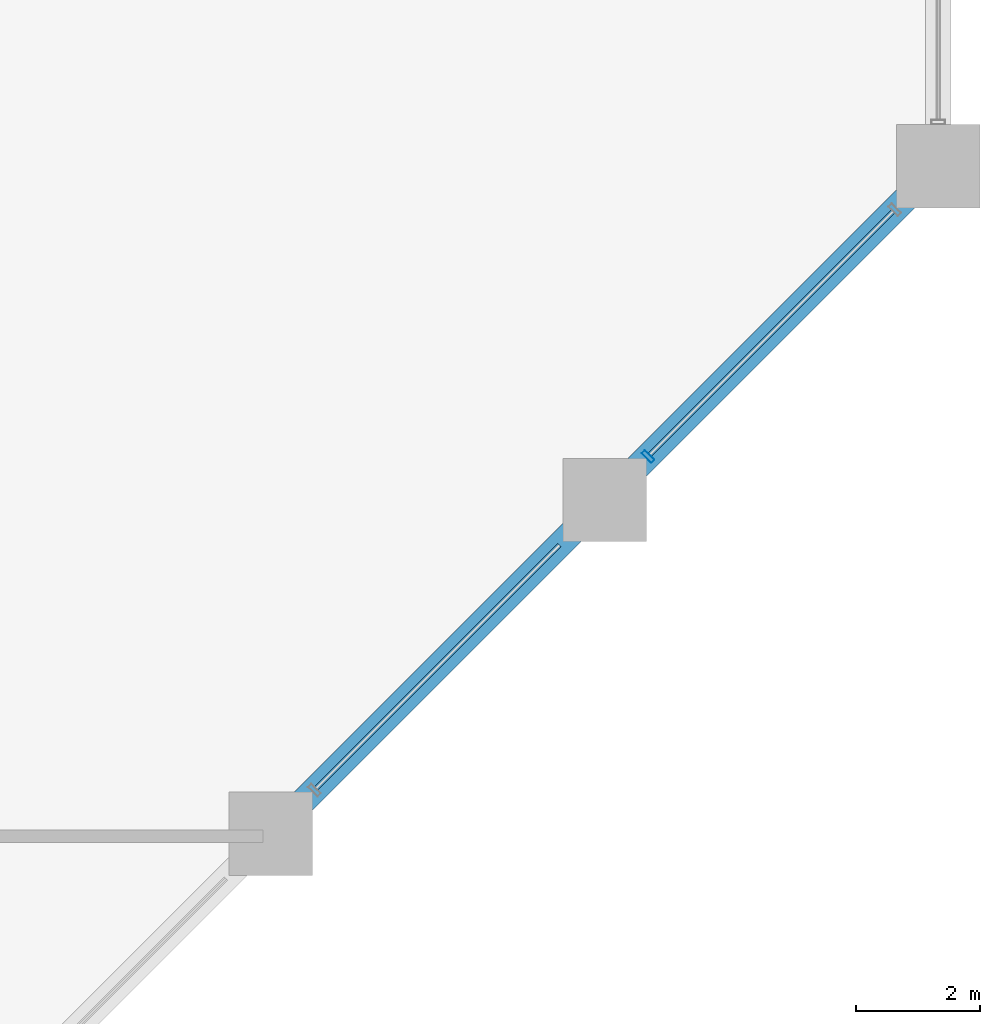
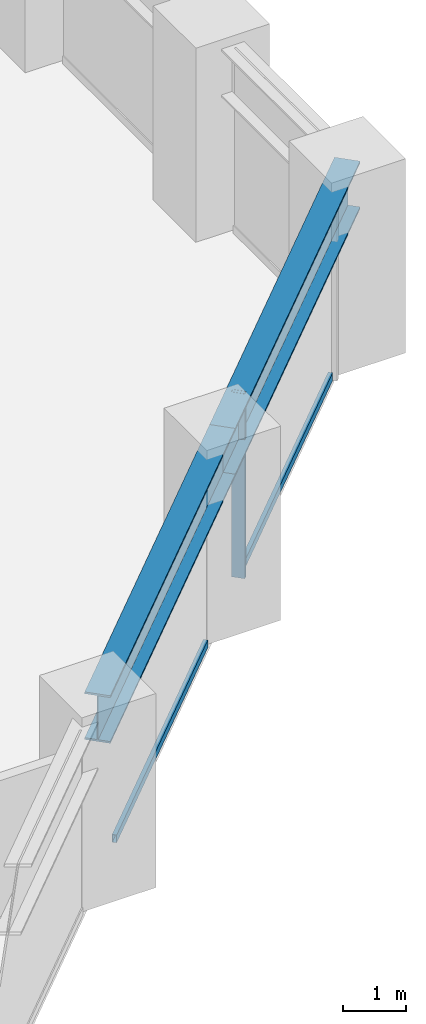
# One storey, part 9 of 24: 3 members, 2 beams, 1 element without a shape of its own.
"""IFC4 building model written with IfcOpenShell, lengths in metres."""

from ifc_helpers import new_model, si_unit, direction, frame, origin, origin_2d, place, context, subcontext, project, spatial, hollow_rectangle, i_section, extrude, material, layer, layer_set, material_profile, profile_set, type_object, element, aggregate, save


model = new_model("IFC4")

# Units and contexts
model_context = context("Model", 3, precision=1e-05, world=origin(), true_north=direction((0.0, 1.0)))
body_context = subcontext(model_context, "Body", "Model", "MODEL_VIEW")
ifc_project = project(units=[si_unit("LENGTHUNIT", "METRE"), si_unit("AREAUNIT", "SQUARE_METRE"), si_unit("VOLUMEUNIT", "CUBIC_METRE"), si_unit("PLANEANGLEUNIT", "RADIAN"), si_unit("MASSUNIT", "GRAM", prefix="KILO")], contexts=[model_context])

# Site, building, storey
site_placement = place(None, origin())
site = spatial("IfcSite", under=ifc_project, at=site_placement, CompositionType="ELEMENT")
building_placement = place(site_placement, origin())
building = spatial("IfcBuilding", under=site, at=building_placement, Name="Surkhivell Harbour Commons", CompositionType="ELEMENT")
storey_placement = place(building_placement, frame((0.0, 0.0, 30.0)))
storey = spatial("IfcBuildingStorey", under=building, at=storey_placement, Name="L07", CompositionType="ELEMENT", Elevation=30.0)

# Beams
ifc_material_1 = material(Name="Steel S460", Category="steel")
ifc_material_profile_1 = material_profile(ifc_material_1, i_section(OverallWidth=0.419921875, OverallDepth=0.9208984375, WebThickness=0.021484375, FlangeThickness=0.03662109375, at=origin_2d()), Name="UB914x419x388")
ifc_profile_set_1 = profile_set([ifc_material_profile_1], Name="Steel S460")
beam_type = type_object("IfcBeamType", Name="BM-SPN-914A", PredefinedType="SPANDREL", material=ifc_profile_set_1)
for number, where, z_axis, x_axis, name in (
    (1, (21.60009765625, -4.300048828125, 3.109619140625), (0.707090796496, 0.707122765516, 0.0), (-0.707122765516, 0.707090796496, 0.0), "L07 Tube Spandrel (21.6,-4.3)"),
    (2, (27.0, 1.10009765625, 3.109619140625), (0.707106781187, 0.707106781187, 0.0), (-0.707106781187, 0.707106781187, 0.0), "L07 Tube Spandrel (27.0,1.1)"),
):
    element("IfcBeam", number, at=place(storey_placement, frame(where, z_axis=z_axis, x_axis=x_axis)), inside=storey, type_object=beam_type, Name=name, PredefinedType="SPANDREL", context=body_context, shape_type="SweptSolid", body=[
        extrude(i_section(OverallWidth=0.419921875, OverallDepth=0.9208984375, WebThickness=0.021484375, FlangeThickness=0.03662109375, at=origin_2d()), origin(), (0.0, 0.0, 1.0), 7.63671875),
    ])

# Curtain wall, members
ifc_material_2 = material(Name="Anodised pale-metal aluminium and insulated glazing", Category="aluminium")
ifc_layer = layer(ifc_material_2, 0.219970703125)
ifc_layer_set = layer_set([ifc_layer], Name="Anodised pale-metal aluminium and insulated glazing")
curtain_wall_type = type_object("IfcCurtainWallType", Name="CW-SYS-Z1", PredefinedType="NOTDEFINED", material=ifc_layer_set)
curtain_wall_placement = place(storey_placement, origin())
curtain_wall = element("IfcCurtainWall", 3, at=curtain_wall_placement, inside=storey, type_object=curtain_wall_type, Name="L07 Curtain Wall CW-L07-E01", PredefinedType="NOTDEFINED")
ifc_material_3 = material(Name="Anodised pale-metal aluminium alloy 6063-T6", Category="aluminium")
ifc_material_profile_2 = material_profile(ifc_material_3, hollow_rectangle(XDim=0.074951171875, YDim=0.219970703125, WallThickness=0.00390625, at=origin_2d()), Name="ALU-MULL-75x220")
ifc_profile_set_2 = profile_set([ifc_material_profile_2], Name="Anodised pale-metal aluminium alloy 6063-T6")
member_type_1 = type_object("IfcMemberType", Name="CWM-220", PredefinedType="MULLION", material=ifc_profile_set_2)
member_1_placement = place(storey_placement, frame((27.703369140625, 1.80322265625, 0.0), z_axis=(0.0, 0.0, 1.0), x_axis=(0.707106781187, 0.707106781187, 0.0)))
member_1 = element("IfcMember", 4, at=member_1_placement, type_object=member_type_1, Name="CW-Z1 mullion 6", PredefinedType="MULLION", context=body_context, shape_type="SweptSolid", body=[
    extrude(hollow_rectangle(XDim=0.074951171875, YDim=0.219970703125, WallThickness=0.00390625, at=origin_2d()), origin(), (0.0, 0.0, 1.0), 3.570068359375),
])
ifc_material_profile_3 = material_profile(ifc_material_3, hollow_rectangle(XDim=0.074951171875, YDim=0.14990234375, WallThickness=0.00341796875, at=origin_2d()), Name="ALU-TRAN-75x150")
ifc_profile_set_3 = profile_set([ifc_material_profile_3], Name="Anodised pale-metal aluminium alloy 6063-T6")
member_type_2 = type_object("IfcMemberType", Name="CWT-150", PredefinedType="USERDEFINED", material=ifc_profile_set_3)
member_2_placement = place(storey_placement, frame((22.329833984375, -3.570068359375, 0.074951171875), z_axis=(0.70712868694, 0.707084874754, 0.0), x_axis=(-0.707084874754, 0.70712868694, 0.0)))
member_2 = element("IfcMember", 5, at=member_2_placement, type_object=member_type_2, Name="CW-Z1 transom 5.1", ObjectType="TRANSOM", PredefinedType="USERDEFINED", context=body_context, shape_type="SweptSolid", body=[
    extrude(hollow_rectangle(XDim=0.074951171875, YDim=0.14990234375, WallThickness=0.00341796875, at=origin_2d()), origin(), (0.0, 0.0, 1.0), 5.572509765625),
])
member_3_placement = place(storey_placement, frame((27.729736328125, 1.829833984375, 0.074951171875), z_axis=(0.707106781187, 0.707106781187, 0.0), x_axis=(-0.707106781187, 0.707106781187, 0.0)))
member_3 = element("IfcMember", 6, at=member_3_placement, type_object=member_type_2, Name="CW-Z1 transom 6.1", ObjectType="TRANSOM", PredefinedType="USERDEFINED", context=body_context, shape_type="SweptSolid", body=[
    extrude(hollow_rectangle(XDim=0.074951171875, YDim=0.14990234375, WallThickness=0.00341796875, at=origin_2d()), origin(), (0.0, 0.0, 1.0), 5.572509765625),
])
aggregate(curtain_wall, [member_2, member_1, member_3])

save(model, "model.ifc")
